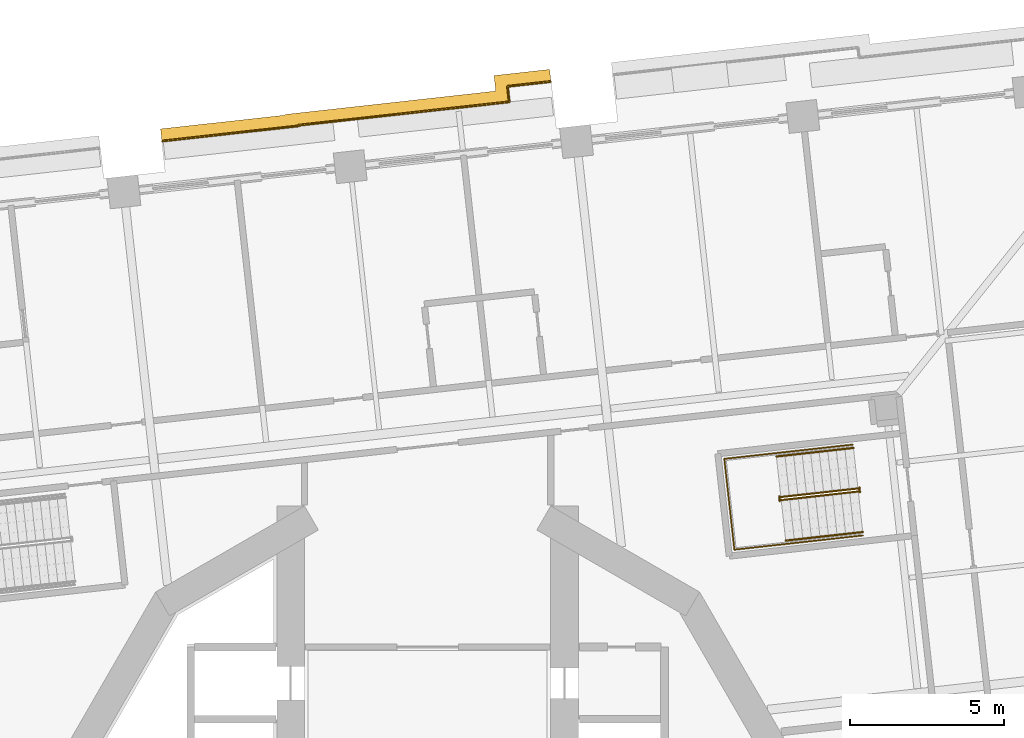
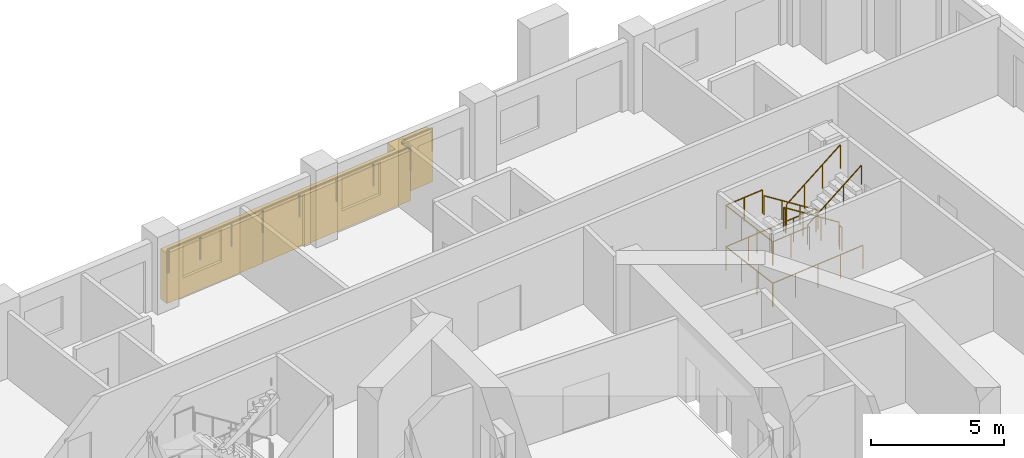
# One storey, part 16 of 18: 8 railings, 1 covering.
"""IFC4 building model written with IfcOpenShell, lengths in metres."""

from ifc_helpers import new_model, si_unit, direction, frame, origin, origin_2d, place, context, subcontext, project, spatial, polyline, circle, outline, extrude, material, type_object, element, save


model = new_model("IFC4")

# Units and contexts
model_context = context("Model", 3, precision=1e-05, world=origin(), true_north=direction((0.0, 1.0)))
body_context = subcontext(model_context, "Body", "Model", "MODEL_VIEW")
ifc_project = project(units=[si_unit("LENGTHUNIT", "METRE"), si_unit("AREAUNIT", "SQUARE_METRE"), si_unit("VOLUMEUNIT", "CUBIC_METRE"), si_unit("PLANEANGLEUNIT", "RADIAN"), si_unit("MASSUNIT", "GRAM", prefix="KILO")], contexts=[model_context])

# Site, building, storey
site_placement = place(None, origin())
site = spatial("IfcSite", under=ifc_project, at=site_placement, CompositionType="ELEMENT")
building_placement = place(site_placement, origin())
building = spatial("IfcBuilding", under=site, at=building_placement, Name="Cantera Rosa Tower", CompositionType="ELEMENT")
storey_placement = place(building_placement, frame((0.0, 0.0, 76.699951171875)))
storey = spatial("IfcBuildingStorey", under=building, at=storey_placement, Name="L16", CompositionType="ELEMENT", Elevation=76.699951171875)

# Railings
ifc_material_1 = material(Name="Stainless steel and laminated glass", Category="steel")
railing_type_1 = type_object("IfcRailingType", Name="GUARD 1100", PredefinedType="BALUSTRADE", material=ifc_material_1)
railing_1_placement = place(storey_placement, frame((-8.6142578125, 23.4931640625, 0.0)))
element("IfcRailing", 1, at=railing_1_placement, inside=storey, type_object=railing_type_1, Name="GUARD L16-5", PredefinedType="BALUSTRADE", context=body_context, shape_type="SweptSolid", body=[
    extrude(circle(Radius=0.030029296875, at=origin_2d()), frame((0.0, 0.0, 1.070068359375), z_axis=(0.994136314057, 0.108134125389, 0.0), x_axis=(-0.108134125389, 0.994136314057, 0.0)), (0.0, 0.0, 1.0), 0.070068359375),
    extrude(circle(Radius=0.030029296875, at=origin_2d()), frame((0.069580078125, 0.007568359375, 1.070068359375), z_axis=(0.993893250705, 0.110345848143, 0.0), x_axis=(-0.110345848143, 0.993893250705, 0.0)), (0.0, 0.0, 1.0), 4.378662109375),
    extrude(circle(Radius=0.030029296875, at=origin_2d()), frame((4.42138671875, 0.49072265625, 1.070068359375), z_axis=(-0.102899151086, 0.994691793827, 0.0), x_axis=(-0.994691793827, -0.102899151086, 0.0)), (0.0, 0.0, 1.0), 0.021240234375),
    extrude(circle(Radius=0.030029296875, at=origin_2d()), frame((4.419189453125, 0.511962890625, 1.070068359375), z_axis=(0.993895391103, 0.110326567717, 0.0), x_axis=(-0.110326567717, 0.993895391103, 0.0)), (0.0, 0.0, 1.0), 6.89306640625),
    extrude(circle(Radius=0.030029296875, at=origin_2d()), frame((11.270263671875, 1.2724609375, 1.070068359375), z_axis=(-0.110325770637, 0.993895479582, 0.0), x_axis=(-0.993895479582, -0.110325770637, 0.0)), (0.0, 0.0, 1.0), 0.5068359375),
    extrude(circle(Radius=0.030029296875, at=origin_2d()), frame((11.21435546875, 1.776123046875, 1.070068359375), z_axis=(0.993892249382, 0.110354866762, 0.0), x_axis=(-0.110354866762, 0.993892249382, 0.0)), (0.0, 0.0, 1.0), 1.398193359375),
    extrude(circle(Radius=0.02490234375, at=origin_2d()), origin(), (0.0, 0.0, 1.0), 1.0400390625),
    extrude(circle(Radius=0.02490234375, at=origin_2d()), frame((0.069580078125, 0.007568359375, 0.0)), (0.0, 0.0, 1.0), 1.0400390625),
    extrude(circle(Radius=0.02490234375, at=origin_2d()), frame((1.520263671875, 0.168701171875, 0.0)), (0.0, 0.0, 1.0), 1.0400390625),
    extrude(circle(Radius=0.02490234375, at=origin_2d()), frame((2.970703125, 0.32958984375, 0.0)), (0.0, 0.0, 1.0), 1.0400390625),
    extrude(circle(Radius=0.02490234375, at=origin_2d()), frame((4.42138671875, 0.49072265625, 0.0)), (0.0, 0.0, 1.0), 1.0400390625),
    extrude(circle(Radius=0.02490234375, at=origin_2d()), frame((4.419189453125, 0.511962890625, 0.0)), (0.0, 0.0, 1.0), 1.0400390625),
    extrude(circle(Radius=0.02490234375, at=origin_2d()), frame((6.1318359375, 0.7021484375, 0.0)), (0.0, 0.0, 1.0), 1.0400390625),
    extrude(circle(Radius=0.02490234375, at=origin_2d()), frame((7.8447265625, 0.89208984375, 0.0)), (0.0, 0.0, 1.0), 1.0400390625),
    extrude(circle(Radius=0.02490234375, at=origin_2d()), frame((9.5576171875, 1.082275390625, 0.0)), (0.0, 0.0, 1.0), 1.0400390625),
    extrude(circle(Radius=0.02490234375, at=origin_2d()), frame((11.270263671875, 1.2724609375, 0.0)), (0.0, 0.0, 1.0), 1.0400390625),
    extrude(circle(Radius=0.02490234375, at=origin_2d()), frame((11.21435546875, 1.776123046875, 0.0)), (0.0, 0.0, 1.0), 1.0400390625),
    extrude(circle(Radius=0.02490234375, at=origin_2d()), frame((12.60400390625, 1.930419921875, 0.0)), (0.0, 0.0, 1.0), 1.0400390625),
])
ifc_material_2 = material(Name="Steel S355J2 (EN 10025-2)", Category="steel")
railing_type_2 = type_object("IfcRailingType", Name="STAIR GUARD 1100", PredefinedType="GUARDRAIL", material=ifc_material_2)
railing_2_placement = place(storey_placement, frame((13.986083984375, 12.203125, 0.18994140625)))
element("IfcRailing", 2, at=railing_2_placement, inside=storey, type_object=railing_type_2, Name="L16 ST-11 stair guard 1", PredefinedType="GUARDRAIL", context=body_context, shape_type="SweptSolid", body=[
    extrude(circle(Radius=0.02392578125, at=origin_2d()), frame((0.0, 0.0, 1.076171875), z_axis=(-0.822394317572, -0.091305890215, 0.561543249302), x_axis=(0.110346460196, -0.993893182753, 0.0)), (0.0, 0.0, 1.0), 3.045654296875),
    extrude(circle(Radius=0.02392578125, at=origin_2d()), frame((-2.504638671875, -0.278076171875, 2.7861328125), z_axis=(-0.931434406233, 0.363909256389, 0.0), x_axis=(-0.363909256389, -0.931434406233, 0.0)), (0.0, 0.0, 1.0), 0.056396484375),
    extrude(circle(Radius=0.02392578125, at=origin_2d()), frame((-2.55712890625, -0.257568359375, 2.7861328125), z_axis=(0.1090029065, -0.994041430915, 0.0), x_axis=(0.994041430915, 0.1090029065, 0.0)), (0.0, 0.0, 1.0), 0.150146484375),
    extrude(circle(Radius=0.02099609375, at=origin_2d()), origin(), (0.0, 0.0, 1.0), 1.052001953125),
    extrude(circle(Radius=0.02099609375, at=origin_2d()), frame((-0.8349609375, -0.0927734375, 0.570068359375)), (0.0, 0.0, 1.0), 1.052001953125),
    extrude(circle(Radius=0.02099609375, at=origin_2d()), frame((-1.669677734375, -0.185302734375, 1.14013671875)), (0.0, 0.0, 1.0), 1.052001953125),
    extrude(circle(Radius=0.02099609375, at=origin_2d()), frame((-2.504638671875, -0.278076171875, 1.710205078125)), (0.0, 0.0, 1.0), 1.052001953125),
    extrude(circle(Radius=0.02099609375, at=origin_2d()), frame((-2.55712890625, -0.257568359375, 1.710205078125)), (0.0, 0.0, 1.0), 1.052001953125),
    extrude(circle(Radius=0.02099609375, at=origin_2d()), frame((-2.540771484375, -0.40673828125, 1.710205078125)), (0.0, 0.0, 1.0), 1.052001953125),
])
railing_3_placement = place(storey_placement, frame((11.4921875, 11.82763671875, 2.090087890625)))
element("IfcRailing", 3, at=railing_3_placement, inside=storey, type_object=railing_type_2, Name="L16 ST-11 stair guard 2", PredefinedType="GUARDRAIL", context=body_context, shape_type="SweptSolid", body=[
    extrude(circle(Radius=0.02392578125, at=origin_2d()), frame((0.0, 0.0, 1.076171875), z_axis=(0.822431337597, 0.091310000343, 0.561488360321), x_axis=(-0.110346460196, 0.993893182753, 0.0)), (0.0, 0.0, 1.0), 3.04541015625),
    extrude(circle(Radius=0.02099609375, at=origin_2d()), origin(), (0.0, 0.0, 1.0), 1.052001953125),
    extrude(circle(Radius=0.02099609375, at=origin_2d()), frame((0.8349609375, 0.0927734375, 0.570068359375)), (0.0, 0.0, 1.0), 1.052001953125),
    extrude(circle(Radius=0.02099609375, at=origin_2d()), frame((1.669677734375, 0.185302734375, 1.139892578125)), (0.0, 0.0, 1.0), 1.052001953125),
    extrude(circle(Radius=0.02099609375, at=origin_2d()), frame((2.504638671875, 0.278076171875, 1.7099609375)), (0.0, 0.0, 1.0), 1.052001953125),
])
railing_4_placement = place(storey_placement, frame((14.032958984375, 12.234375, 0.0)))
element("IfcRailing", 4, at=railing_4_placement, inside=storey, type_object=railing_type_2, Name="L16 ST-11 stair guard 3", PredefinedType="GUARDRAIL", context=body_context, shape_type="SweptSolid", body=[
    extrude(circle(Radius=0.02392578125, at=origin_2d()), frame((0.0, 0.0, 1.076171875), z_axis=(0.109179471459, -0.994022053584, 0.0), x_axis=(0.994022053584, 0.109179471459, 0.0)), (0.0, 0.0, 1.0), 0.14990234375),
    extrude(circle(Radius=0.02099609375, at=origin_2d()), origin(), (0.0, 0.0, 1.0), 1.052001953125),
    extrude(circle(Radius=0.02099609375, at=origin_2d()), frame((0.016357421875, -0.14892578125, 0.0)), (0.0, 0.0, 1.0), 1.052001953125),
])
railing_5_placement = place(storey_placement, frame((13.815673828125, 13.629150390625, 0.0)))
element("IfcRailing", 5, at=railing_5_placement, inside=storey, type_object=railing_type_2, Name="L16 ST-11 stair guard 4", PredefinedType="GUARDRAIL", context=body_context, shape_type="SweptSolid", body=[
    extrude(circle(Radius=0.02392578125, at=origin_2d()), frame((0.0, 0.0, 1.076171875), z_axis=(-0.9938957856, -0.110323013767, 0.0), x_axis=(0.110323013767, -0.9938957856, 0.0)), (0.0, 0.0, 1.0), 4.197998046875),
    extrude(circle(Radius=0.02392578125, at=origin_2d()), frame((-4.17236328125, -0.463134765625, 1.076171875), z_axis=(0.110314237986, -0.993896759678, 0.0), x_axis=(0.993896759678, 0.110314237986, 0.0)), (0.0, 0.0, 1.0), 2.969970703125),
    extrude(circle(Radius=0.02392578125, at=origin_2d()), frame((-3.8447265625, -3.4150390625, 1.076171875), z_axis=(0.9938957856, 0.110323013767, 0.0), x_axis=(-0.110323013767, 0.9938957856, 0.0)), (0.0, 0.0, 1.0), 4.197998046875),
    extrude(circle(Radius=0.02099609375, at=origin_2d()), origin(), (0.0, 0.0, 1.0), 1.052001953125),
    extrude(circle(Radius=0.02099609375, at=origin_2d()), frame((-1.04296875, -0.11572265625, 0.0)), (0.0, 0.0, 1.0), 1.052001953125),
    extrude(circle(Radius=0.02099609375, at=origin_2d()), frame((-2.086181640625, -0.2314453125, 0.0)), (0.0, 0.0, 1.0), 1.052001953125),
    extrude(circle(Radius=0.02099609375, at=origin_2d()), frame((-3.12939453125, -0.347412109375, 0.0)), (0.0, 0.0, 1.0), 1.052001953125),
    extrude(circle(Radius=0.02099609375, at=origin_2d()), frame((-4.17236328125, -0.463134765625, 0.0)), (0.0, 0.0, 1.0), 1.052001953125),
    extrude(circle(Radius=0.02099609375, at=origin_2d()), frame((-4.063232421875, -1.447021484375, 0.0)), (0.0, 0.0, 1.0), 1.052001953125),
    extrude(circle(Radius=0.02099609375, at=origin_2d()), frame((-3.953857421875, -2.43115234375, 0.0)), (0.0, 0.0, 1.0), 1.052001953125),
    extrude(circle(Radius=0.02099609375, at=origin_2d()), frame((-3.8447265625, -3.4150390625, 0.0)), (0.0, 0.0, 1.0), 1.052001953125),
    extrude(circle(Radius=0.02099609375, at=origin_2d()), frame((-2.8017578125, -3.29931640625, 0.0)), (0.0, 0.0, 1.0), 1.052001953125),
    extrude(circle(Radius=0.02099609375, at=origin_2d()), frame((-1.758544921875, -3.18359375, 0.0)), (0.0, 0.0, 1.0), 1.052001953125),
    extrude(circle(Radius=0.02099609375, at=origin_2d()), frame((-0.71533203125, -3.067626953125, 0.0)), (0.0, 0.0, 1.0), 1.052001953125),
    extrude(circle(Radius=0.02099609375, at=origin_2d()), frame((0.32763671875, -2.951904296875, 0.0)), (0.0, 0.0, 1.0), 1.052001953125),
])
railing_6_placement = place(storey_placement, frame((11.3349609375, 13.353759765625, 1.900146484375)))
element("IfcRailing", 6, at=railing_6_placement, inside=storey, type_object=railing_type_2, Name="L16 ST-11 stair guard 5", PredefinedType="GUARDRAIL", context=body_context, shape_type="SweptSolid", body=[
    extrude(circle(Radius=0.02392578125, at=origin_2d()), frame((0.0, 0.0, 1.076171875), z_axis=(-0.993897720867, -0.110305577623, 0.0), x_axis=(0.110305577623, -0.993897720867, 0.0)), (0.0, 0.0, 1.0), 1.7021484375),
    extrude(circle(Radius=0.02392578125, at=origin_2d()), frame((-1.691650390625, -0.187744140625, 1.076171875), z_axis=(0.110314237986, -0.993896759678, 0.0), x_axis=(0.993896759678, 0.110314237986, 0.0)), (0.0, 0.0, 1.0), 2.969970703125),
    extrude(circle(Radius=0.02392578125, at=origin_2d()), frame((-1.364013671875, -3.1396484375, 1.076171875), z_axis=(0.993897720867, 0.110305577623, 0.0), x_axis=(-0.110305577623, 0.993897720867, 0.0)), (0.0, 0.0, 1.0), 1.7021484375),
    extrude(circle(Radius=0.02099609375, at=origin_2d()), origin(), (0.0, 0.0, 1.0), 1.052001953125),
    extrude(circle(Radius=0.02099609375, at=origin_2d()), frame((-0.845703125, -0.09375, 0.0)), (0.0, 0.0, 1.0), 1.052001953125),
    extrude(circle(Radius=0.02099609375, at=origin_2d()), frame((-1.691650390625, -0.187744140625, 0.0)), (0.0, 0.0, 1.0), 1.052001953125),
    extrude(circle(Radius=0.02099609375, at=origin_2d()), frame((-1.58251953125, -1.171630859375, 0.0)), (0.0, 0.0, 1.0), 1.052001953125),
    extrude(circle(Radius=0.02099609375, at=origin_2d()), frame((-1.47314453125, -2.15576171875, 0.0)), (0.0, 0.0, 1.0), 1.052001953125),
    extrude(circle(Radius=0.02099609375, at=origin_2d()), frame((-1.364013671875, -3.1396484375, 0.0)), (0.0, 0.0, 1.0), 1.052001953125),
    extrude(circle(Radius=0.02099609375, at=origin_2d()), frame((-0.51806640625, -3.0458984375, 0.0)), (0.0, 0.0, 1.0), 1.052001953125),
    extrude(circle(Radius=0.02099609375, at=origin_2d()), frame((0.32763671875, -2.951904296875, 0.0)), (0.0, 0.0, 1.0), 1.052001953125),
])
ifc_material_3 = material(Name="Steel S355J2 (EN 10025-2)", Category="steel")
railing_type_3 = type_object("IfcRailingType", Name="STAIR HANDRAIL 900", PredefinedType="HANDRAIL", material=ifc_material_3)
railing_7_placement = place(storey_placement, frame((13.83984375, 13.52099609375, 0.18994140625)))
element("IfcRailing", 7, at=railing_7_placement, inside=storey, type_object=railing_type_3, Name="L16 ST-11 stair handrail 1", PredefinedType="HANDRAIL", context=body_context, shape_type="SweptSolid", body=[
    extrude(circle(Radius=0.02392578125, at=origin_2d()), frame((0.0, 0.0, 0.8759765625), z_axis=(-0.822400334406, -0.091226394439, 0.561547357688), x_axis=(0.110250758185, -0.993903803353, 0.0)), (0.0, 0.0, 1.0), 3.04541015625),
    extrude(circle(Radius=0.02099609375, at=origin_2d()), origin(), (0.0, 0.0, 1.0), 0.851806640625),
    extrude(circle(Radius=0.02099609375, at=origin_2d()), frame((-0.8349609375, -0.092529296875, 0.570068359375)), (0.0, 0.0, 1.0), 0.851806640625),
    extrude(circle(Radius=0.02099609375, at=origin_2d()), frame((-1.669677734375, -0.185302734375, 1.14013671875)), (0.0, 0.0, 1.0), 0.851806640625),
    extrude(circle(Radius=0.02099609375, at=origin_2d()), frame((-2.504638671875, -0.27783203125, 1.710205078125)), (0.0, 0.0, 1.0), 0.851806640625),
])
railing_8_placement = place(storey_placement, frame((11.638427734375, 10.509765625, 2.090087890625)))
element("IfcRailing", 8, at=railing_8_placement, inside=storey, type_object=railing_type_3, Name="L16 ST-11 stair handrail 2", PredefinedType="HANDRAIL", context=body_context, shape_type="SweptSolid", body=[
    extrude(circle(Radius=0.02392578125, at=origin_2d()), frame((0.0, 0.0, 0.8759765625), z_axis=(0.822431337597, 0.091310000343, 0.561488360321), x_axis=(-0.110346460196, 0.993893182753, 0.0)), (0.0, 0.0, 1.0), 3.04541015625),
    extrude(circle(Radius=0.02099609375, at=origin_2d()), origin(), (0.0, 0.0, 1.0), 0.851806640625),
    extrude(circle(Radius=0.02099609375, at=origin_2d()), frame((0.8349609375, 0.0927734375, 0.570068359375)), (0.0, 0.0, 1.0), 0.851806640625),
    extrude(circle(Radius=0.02099609375, at=origin_2d()), frame((1.669677734375, 0.185302734375, 1.139892578125)), (0.0, 0.0, 1.0), 0.851806640625),
    extrude(circle(Radius=0.02099609375, at=origin_2d()), frame((2.504638671875, 0.278076171875, 1.7099609375)), (0.0, 0.0, 1.0), 0.851806640625),
])

# Covering
ifc_material_4 = material(Name="Cantera stone", Category="masonry")
covering_type = type_object("IfcCoveringType", Name="TRAY FASCIA 400", PredefinedType="CLADDING", material=ifc_material_4)
covering_placement = place(storey_placement, frame((0.0, 0.0, -1.39990234375)))
element("IfcCovering", 9, at=covering_placement, inside=storey, type_object=covering_type, Name="TRAY FASCIA L16-04", PredefinedType="CLADDING", context=body_context, shape_type="SweptSolid", body=[
    extrude(outline(polyline([(-8.588623046875, 23.8984375), (-4.634521484375, 24.33740234375), (-4.636962890625, 24.358642578125), (2.21435546875, 25.119140625), (2.158447265625, 25.622802734375), (3.965576171875, 25.8232421875), (4.009765625, 25.42578125), (2.60009765625, 25.269287109375), (2.656005859375, 24.765625), (-4.195068359375, 24.005126953125), (-4.19287109375, 23.98388671875), (-8.544677734375, 23.500732421875), (-8.634033203125, 23.490966796875), (-8.67822265625, 23.888427734375), (-8.588623046875, 23.8984375)])), origin(), (0.0, 0.0, 1.0), 2.300048828125),
])

save(model, "model.ifc")
